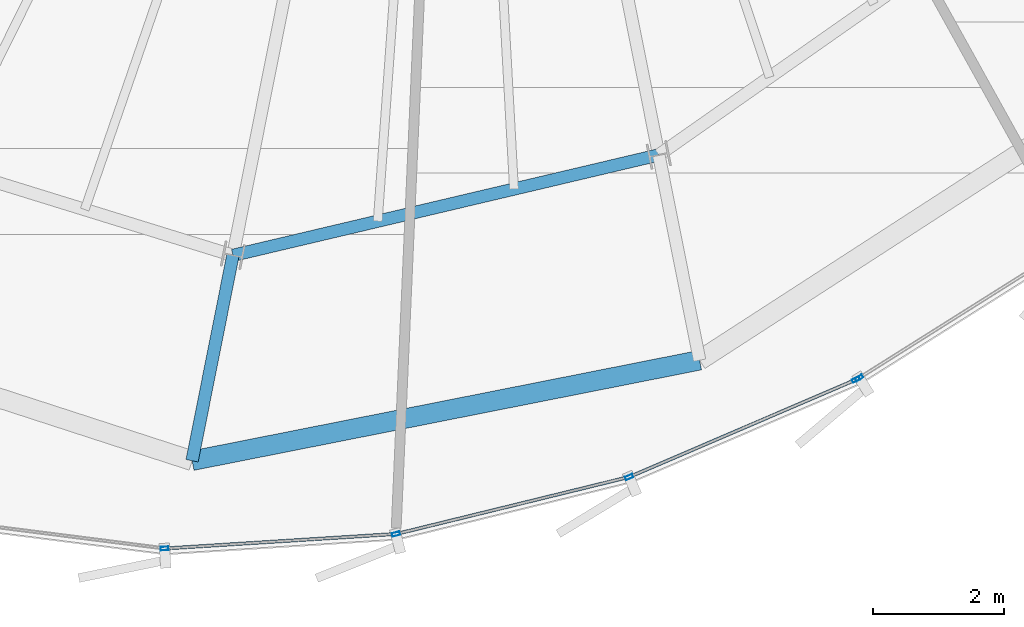
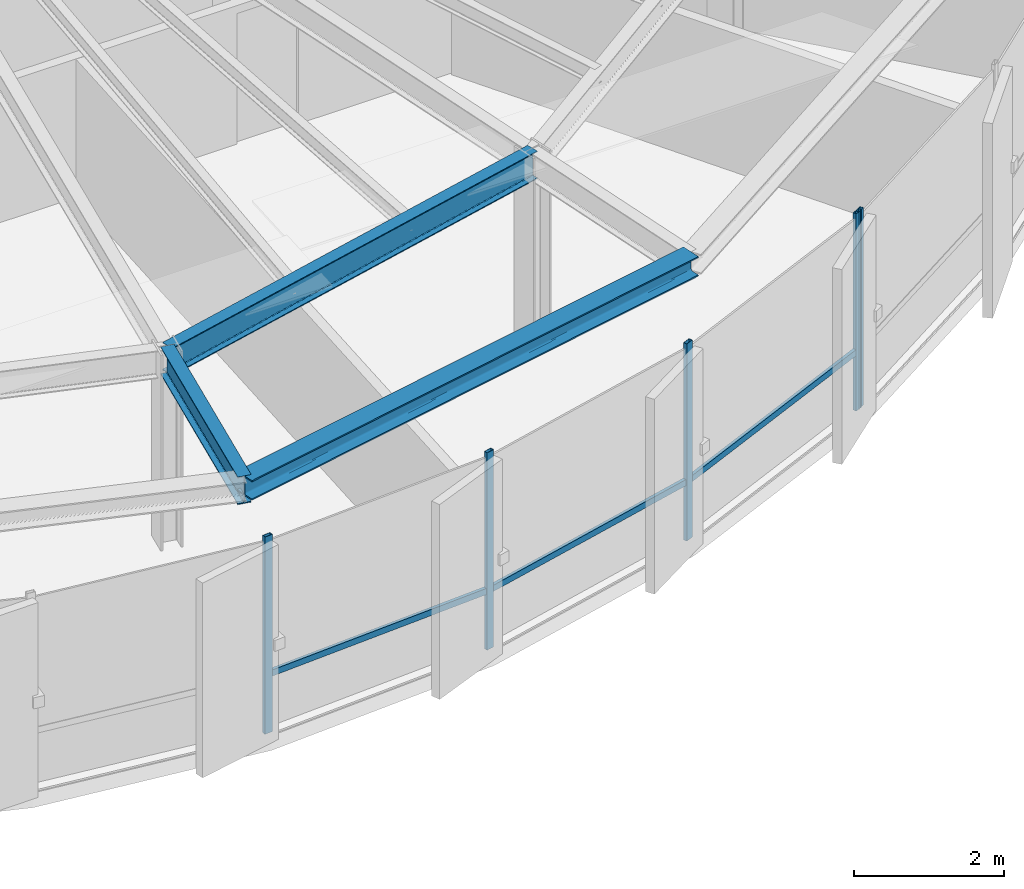
# One storey, part 6 of 35: 8 members, 3 beams, 2 elements without a shape of their own.
"""IFC4 building model written with IfcOpenShell, lengths in metres."""

from ifc_helpers import new_model, si_unit, direction, frame, origin, origin_2d, place, context, subcontext, project, spatial, hollow_rectangle, i_section, extrude, source, transform, mapped, material, layer, layer_set, material_profile, profile_set, type_object, element, aggregate, save


model = new_model("IFC4")

# Units and contexts
model_context = context("Model", 3, precision=1e-05, world=origin(), true_north=direction((0.0, 1.0)))
body_context = subcontext(model_context, "Body", "Model", "MODEL_VIEW")
ifc_project = project(units=[si_unit("LENGTHUNIT", "METRE"), si_unit("AREAUNIT", "SQUARE_METRE"), si_unit("VOLUMEUNIT", "CUBIC_METRE"), si_unit("PLANEANGLEUNIT", "RADIAN"), si_unit("MASSUNIT", "GRAM", prefix="KILO"), si_unit("THERMODYNAMICTEMPERATUREUNIT", "KELVIN")], contexts=[model_context])

# Site, building, storey
site_placement = place(None, origin())
site = spatial("IfcSite", under=ifc_project, at=site_placement, CompositionType="ELEMENT")
building_placement = place(site_placement, origin())
building = spatial("IfcBuilding", under=site, at=building_placement, Name="Kethvar Cultural Tower", CompositionType="ELEMENT")
storey_placement = place(building_placement, frame((0.0, 0.0, 249.10009765625)))
storey = spatial("IfcBuildingStorey", under=building, at=storey_placement, Name="L65", CompositionType="ELEMENT", Elevation=249.10009765625)

# Beams
ifc_material_1 = material(Name="Steel S355J2", Category="steel")
ifc_material_profile_1 = material_profile(ifc_material_1, i_section(OverallWidth=0.18994140625, OverallDepth=0.449951171875, WebThickness=0.009521484375, FlangeThickness=0.0146484375, FilletRadius=0.02099609375, at=origin_2d()), Name="Steel S355J2 — IPE450")
ifc_profile_set_1 = profile_set([ifc_material_profile_1], Name="Steel S355J2 — IPE450")
beam_type_1 = type_object("IfcBeamType", Name="BM-IPE450", PredefinedType="BEAM", material=ifc_profile_set_1)
shared_shape_1 = source(origin(), body_context, "Body", "SweptSolid", [
    extrude(i_section(OverallWidth=0.18994140625, OverallDepth=0.449951171875, WebThickness=0.009521484375, FlangeThickness=0.0146484375, FilletRadius=0.02099609375, at=origin_2d()), origin(), (0.0, 0.0, 1.0), 3.2001953125),
])
beam_1_placement = place(storey_placement, frame((43.392822265625, 10.67138671875, 2.98291015625), z_axis=(-0.195074368086, -0.980788453702, 0.0), x_axis=(0.980788453702, -0.195074368086, 0.0)))
element("IfcBeam", 1, at=beam_1_placement, inside=storey, type_object=beam_type_1, Name="L65 Perimeter Cantilever Beam RC-12", PredefinedType="BEAM", context=body_context, shape_type="MappedRepresentation", body=[
    mapped(shared_shape_1, transform((0.0, 0.0, 0.0), scale=1.0)),
])
shared_shape_2 = source(origin(), body_context, "Body", "SweptSolid", [
    extrude(i_section(OverallWidth=0.18994140625, OverallDepth=0.449951171875, WebThickness=0.009521484375, FlangeThickness=0.0146484375, FilletRadius=0.02099609375, at=origin_2d()), origin(), (0.0, 0.0, 1.0), 6.6875),
])
beam_2_placement = place(storey_placement, frame((43.392822265625, 10.67138671875, 2.98291015625), z_axis=(0.973286301494, 0.22959480683, 0.0), x_axis=(-0.22959480683, 0.973286301494, 0.0)))
element("IfcBeam", 2, at=beam_2_placement, inside=storey, type_object=beam_type_1, Name="L65 Column Ring Tie Beam CR-12", PredefinedType="BEAM", context=body_context, shape_type="MappedRepresentation", body=[
    mapped(shared_shape_2, transform((0.0, 0.0, 0.0), scale=1.0)),
])
ifc_material_profile_2 = material_profile(ifc_material_1, i_section(OverallWidth=0.300048828125, OverallDepth=0.320068359375, WebThickness=0.011474609375, FlangeThickness=0.0205078125, FilletRadius=0.027099609375, at=origin_2d()), Name="Steel S355J2 — HEB320")
ifc_profile_set_2 = profile_set([ifc_material_profile_2], Name="Steel S355J2 — HEB320")
beam_type_2 = type_object("IfcBeamType", Name="BM-SP320", PredefinedType="SPANDREL", material=ifc_profile_set_2)
shared_shape_3 = source(origin(), body_context, "Body", "SweptSolid", [
    extrude(i_section(OverallWidth=0.300048828125, OverallDepth=0.320068359375, WebThickness=0.011474609375, FlangeThickness=0.0205078125, FilletRadius=0.027099609375, at=origin_2d()), origin(), (0.0, 0.0, 1.0), 7.907958984375),
])
beam_3_placement = place(storey_placement, frame((42.7685546875, 7.53271484375, 3.0478515625), z_axis=(0.980963515828, 0.194192122948, 0.0), x_axis=(-0.194192122948, 0.980963515828, 0.0)))
element("IfcBeam", 3, at=beam_3_placement, inside=storey, type_object=beam_type_2, Name="L65 Perimeter Spandrel Beam SP-12", PredefinedType="SPANDREL", context=body_context, shape_type="MappedRepresentation", body=[
    mapped(shared_shape_3, transform((0.0, 0.0, 0.0), scale=1.0)),
])

# Curtain wall, members
ifc_material_2 = material(Name="Aluminium 6063-T6", Category="aluminium")
ifc_layer = layer(ifc_material_2, 0.179931640625, Name="Aluminium 6063-T6", Category="aluminium")
ifc_layer_set = layer_set([ifc_layer], Name="Aluminium 6063-T6 (180 mm)")
curtain_wall_type = type_object("IfcCurtainWallType", Name="CW-SYS-05-Z56", PredefinedType="NOTDEFINED", material=ifc_layer_set)
curtain_wall_1_placement = place(storey_placement, origin())
curtain_wall_1 = element("IfcCurtainWall", 4, at=curtain_wall_1_placement, inside=storey, type_object=curtain_wall_type, Name="L65 Curtain Wall Run 04", PredefinedType="NOTDEFINED")
ifc_material_profile_3 = material_profile(ifc_material_2, hollow_rectangle(XDim=0.054931640625, YDim=0.1201171875, WallThickness=0.00390625, at=origin_2d()), Name="Aluminium 6063-T6 — RHS120x55x4")
ifc_profile_set_3 = profile_set([ifc_material_profile_3], Name="Aluminium 6063-T6 — RHS120x55x4")
member_type_1 = type_object("IfcMemberType", Name="CW-SYS-05-Z56-MUL", PredefinedType="MULLION", material=ifc_profile_set_3)
shared_shape_4 = source(origin(), body_context, "Body", "SweptSolid", [
    extrude(hollow_rectangle(XDim=0.054931640625, YDim=0.1201171875, WallThickness=0.00390625, at=origin_2d()), origin(), (0.0, 0.0, 1.0), 3.2099609375),
])
member_1_placement = place(storey_placement, frame((42.3486328125, 6.19091796875, 0.0), z_axis=(0.0, 0.0, 1.0), x_axis=(-0.062825357196, 0.998024536018, 0.0)))
member_1 = element("IfcMember", 5, at=member_1_placement, type_object=member_type_1, Name="CW-L65-R04 Mullion 4", PredefinedType="MULLION", context=body_context, shape_type="MappedRepresentation", body=[
    mapped(shared_shape_4, transform((0.0, 0.0, 0.0), scale=1.0)),
])
member_2_placement = place(storey_placement, frame((45.88427734375, 6.411865234375, 0.0), z_axis=(0.0, 0.0, 1.0), x_axis=(-0.237787609726, 0.971317174079, 0.0)))
member_2 = element("IfcMember", 6, at=member_2_placement, type_object=member_type_1, Name="CW-L65-R04 Mullion 5", PredefinedType="MULLION", context=body_context, shape_type="MappedRepresentation", body=[
    mapped(shared_shape_4, transform((0.0, 0.0, 0.0), scale=1.0)),
])
member_3_placement = place(storey_placement, frame((49.448974609375, 7.283203125, 0.0), z_axis=(0.0, 0.0, 1.0), x_axis=(-0.394647638629, 0.918832542591, 0.0)))
member_3 = element("IfcMember", 7, at=member_3_placement, type_object=member_type_1, Name="CW-L65-R04 Mullion 6", PredefinedType="MULLION", context=body_context, shape_type="MappedRepresentation", body=[
    mapped(shared_shape_4, transform((0.0, 0.0, 0.0), scale=1.0)),
])
member_4_placement = place(storey_placement, frame((52.914794921875, 8.771728515625, 0.0), z_axis=(0.0, 0.0, 1.0), x_axis=(-0.394647638629, 0.918832542591, 0.0)))
member_4 = element("IfcMember", 8, at=member_4_placement, type_object=member_type_1, Name="CW-L65-R04 Mullion 7", PredefinedType="MULLION", context=body_context, shape_type="MappedRepresentation", body=[
    mapped(shared_shape_4, transform((0.0, 0.0, 0.0), scale=1.0)),
])

# Curtain wall, member
curtain_wall_2_placement = place(storey_placement, origin())
curtain_wall_2 = element("IfcCurtainWall", 9, at=curtain_wall_2_placement, inside=storey, type_object=curtain_wall_type, Name="L65 Curtain Wall Run 05", PredefinedType="NOTDEFINED")
member_5_placement = place(storey_placement, frame((52.964111328125, 8.797607421875, 0.0), z_axis=(0.0, 0.0, 1.0), x_axis=(-0.532566094291, 0.846388418642, 0.0)))
member_5 = element("IfcMember", 10, at=member_5_placement, type_object=member_type_1, Name="CW-L65-R05 Mullion 1", PredefinedType="MULLION", context=body_context, shape_type="MappedRepresentation", body=[
    mapped(shared_shape_4, transform((0.0, 0.0, 0.0), scale=1.0)),
])
aggregate(curtain_wall_2, [member_5])

# Member
ifc_material_profile_4 = material_profile(ifc_material_2, hollow_rectangle(XDim=0.050048828125, YDim=0.10009765625, WallThickness=0.00390625, at=origin_2d()), Name="Aluminium 6063-T6 — RHS100x50x4")
ifc_profile_set_4 = profile_set([ifc_material_profile_4], Name="Aluminium 6063-T6 — RHS100x50x4")
member_type_2 = type_object("IfcMemberType", Name="CW-SYS-05-Z56-TRN", PredefinedType="USERDEFINED", material=ifc_profile_set_4)
shared_shape_5 = source(origin(), body_context, "Body", "SweptSolid", [
    extrude(hollow_rectangle(XDim=0.050048828125, YDim=0.10009765625, WallThickness=0.00390625, at=origin_2d()), origin(), (0.0, 0.0, 1.0), 3.48095703125),
])
member_6_placement = place(storey_placement, frame((42.38818359375, 6.193359375, 0.949951171875), z_axis=(0.998023543816, 0.062841117025, 0.0), x_axis=(-0.062841117025, 0.998023543816, 0.0)))
member_6 = element("IfcMember", 11, at=member_6_placement, type_object=member_type_2, Name="CW-L65-R04 Transom 4", ObjectType="TRANSOM", PredefinedType="USERDEFINED", context=body_context, shape_type="MappedRepresentation", body=[
    mapped(shared_shape_5, transform((0.0, 0.0, 0.0), scale=1.0)),
])

shared_shape_6 = source(origin(), body_context, "Body", "SweptSolid", [
    extrude(hollow_rectangle(XDim=0.050048828125, YDim=0.10009765625, WallThickness=0.00390625, at=origin_2d()), origin(), (0.0, 0.0, 1.0), 3.60693359375),
])
member_7_placement = place(storey_placement, frame((45.9228515625, 6.421142578125, 0.949951171875), z_axis=(0.971317414977, 0.237786625701, 0.0), x_axis=(-0.237786625701, 0.971317414977, 0.0)))
member_7 = element("IfcMember", 12, at=member_7_placement, type_object=member_type_2, Name="CW-L65-R04 Transom 5", ObjectType="TRANSOM", PredefinedType="USERDEFINED", context=body_context, shape_type="MappedRepresentation", body=[
    mapped(shared_shape_6, transform((0.0, 0.0, 0.0), scale=1.0)),
])

shared_shape_7 = source(origin(), body_context, "Body", "SweptSolid", [
    extrude(hollow_rectangle(XDim=0.050048828125, YDim=0.10009765625, WallThickness=0.00390625, at=origin_2d()), origin(), (0.0, 0.0, 1.0), 3.728759765625),
])
member_8_placement = place(storey_placement, frame((49.4853515625, 7.298583984375, 0.949951171875), z_axis=(0.918816204548, 0.394685675266, 0.0), x_axis=(-0.394685675266, 0.918816204548, 0.0)))
member_8 = element("IfcMember", 13, at=member_8_placement, type_object=member_type_2, Name="CW-L65-R04 Transom 6", ObjectType="TRANSOM", PredefinedType="USERDEFINED", context=body_context, shape_type="MappedRepresentation", body=[
    mapped(shared_shape_7, transform((0.0, 0.0, 0.0), scale=1.0)),
])

aggregate(curtain_wall_1, [member_1, member_2, member_3, member_4, member_6, member_7, member_8])

save(model, "model.ifc")
